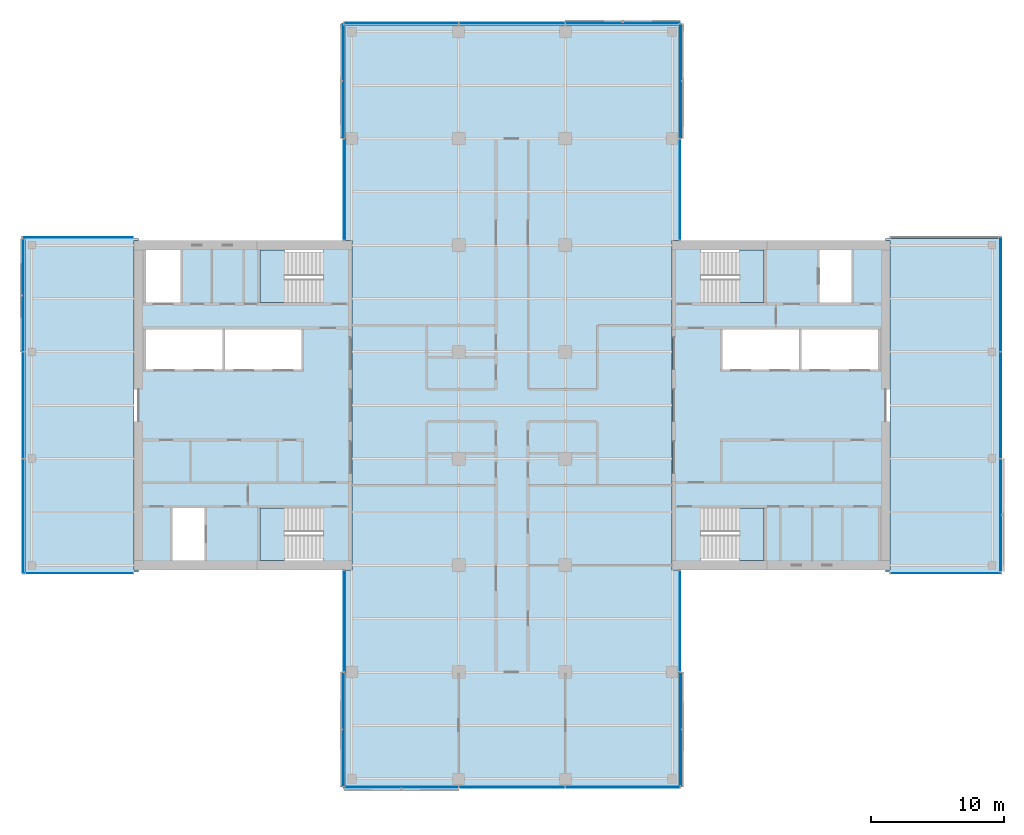
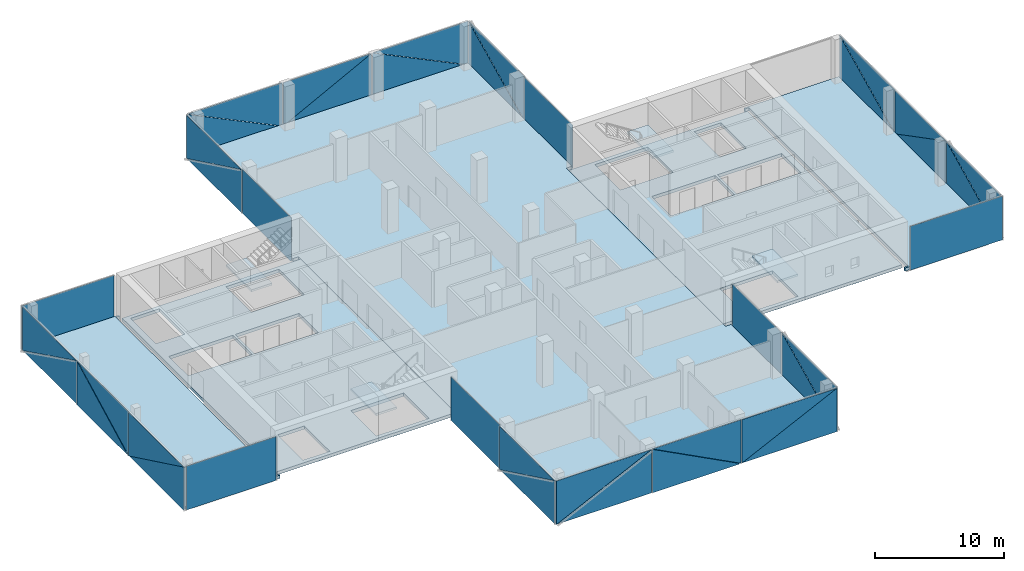
# One storey, part 12 of 22: 39 plates, 9 slabs, 19 elements without a shape of their own.
"""IFC4 building model written with IfcOpenShell, lengths in metres."""

from ifc_helpers import new_model, si_unit, direction, frame, origin, place, context, subcontext, project, spatial, polyline, outline, extrude, material, layer, layer_set, type_object, element, aggregate, save


model = new_model("IFC4")

# Units and contexts
model_context = context("Model", 3, precision=1e-05, world=origin(), true_north=direction((0.0, 1.0)))
body_context = subcontext(model_context, "Body", "Model", "MODEL_VIEW")
ifc_project = project(units=[si_unit("LENGTHUNIT", "METRE"), si_unit("AREAUNIT", "SQUARE_METRE"), si_unit("VOLUMEUNIT", "CUBIC_METRE"), si_unit("PLANEANGLEUNIT", "RADIAN"), si_unit("MASSUNIT", "GRAM", prefix="KILO")], contexts=[model_context])

# Site, building, storey
site_placement = place(None, origin())
site = spatial("IfcSite", under=ifc_project, at=site_placement, CompositionType="ELEMENT")
building_placement = place(site_placement, origin())
building = spatial("IfcBuilding", under=site, at=building_placement, Name="Crosswind Convention Tower", CompositionType="ELEMENT")
storey_placement = place(building_placement, frame((0.0, 0.0, 121.10009765625)))
storey = spatial("IfcBuildingStorey", under=building, at=storey_placement, Name="L24", CompositionType="ELEMENT", Elevation=121.10009765625)

# Slabs
ifc_material_1 = material(Name="Concrete C40/50", Category="concrete")
ifc_layer_1 = layer(ifc_material_1, 0.300048828125)
ifc_layer_set_1 = layer_set([ifc_layer_1], Name="Concrete C40/50")
slab_type_1 = type_object("IfcSlabType", Name="Composite floor slab 300", PredefinedType="FLOOR", material=ifc_layer_set_1)
slab_1_placement = place(storey_placement, frame((0.0, 0.0, -0.300048828125)))
element("IfcSlab", 1, at=slab_1_placement, inside=storey, type_object=slab_type_1, Name="Floor slab L24 part 1", PredefinedType="FLOOR", context=body_context, shape_type="SweptSolid", body=[
    extrude(outline(polyline([(97.0, 87.5), (89.0, 87.5), (88.5, 87.5), (88.5, 88.0), (88.5, 112.0), (88.5, 112.5), (89.0, 112.5), (97.0, 112.5), (97.0, 112.35009765625), (96.64990234375, 112.35009765625), (96.64990234375, 87.64990234375), (97.0, 87.64990234375), (97.0, 87.5)])), origin(), (0.0, 0.0, 1.0), 0.300048828125),
])
slab_2_placement = place(storey_placement, frame((0.0, 0.0, -0.300048828125)))
element("IfcSlab", 2, at=slab_2_placement, inside=storey, type_object=slab_type_1, Name="Floor slab L24 part 2", PredefinedType="FLOOR", context=body_context, shape_type="SweptSolid", body=[
    extrude(outline(polyline([(112.5, 87.64990234375), (113.0, 87.64990234375), (113.0, 112.35009765625), (112.5, 112.35009765625), (112.5, 128.0), (112.5, 128.5), (113.0, 128.5), (137.0, 128.5), (137.5, 128.5), (137.5, 128.0), (137.5, 112.35009765625), (137.0, 112.35009765625), (137.0, 87.64990234375), (137.5, 87.64990234375), (137.5, 72.0), (137.5, 71.5), (137.0, 71.5), (113.0, 71.5), (112.5, 71.5), (112.5, 72.0), (112.5, 87.64990234375)])), origin(), (0.0, 0.0, 1.0), 0.300048828125),
])
slab_3_placement = place(storey_placement, frame((0.0, 0.0, -0.300048828125)))
element("IfcSlab", 3, at=slab_3_placement, inside=storey, type_object=slab_type_1, Name="Floor slab L24 part 3", PredefinedType="FLOOR", context=body_context, shape_type="SweptSolid", body=[
    extrude(outline(polyline([(153.0, 112.5), (161.0, 112.5), (161.5, 112.5), (161.5, 112.0), (161.5, 88.0), (161.5, 87.5), (161.0, 87.5), (153.0, 87.5), (153.0, 87.64990234375), (153.35009765625, 87.64990234375), (153.35009765625, 112.35009765625), (153.0, 112.35009765625), (153.0, 112.5)])), origin(), (0.0, 0.0, 1.0), 0.300048828125),
])
ifc_layer_2 = layer(ifc_material_1, 0.300048828125)
ifc_layer_set_2 = layer_set([ifc_layer_2], Name="Concrete C40/50")
slab_type_2 = type_object("IfcSlabType", Name="Concrete core floor slab 300", PredefinedType="FLOOR", material=ifc_layer_set_2)
slab_4_placement = place(storey_placement, frame((0.0, 0.0, -0.300048828125)))
element("IfcSlab", 4, at=slab_4_placement, inside=storey, type_object=slab_type_2, Name="Core floor slab E L24", PredefinedType="FLOOR", context=body_context, shape_type="SweptSolid", body=[
    extrude(outline(polyline([(137.0, 88.0), (153.0, 88.0), (153.0, 112.0), (137.0, 112.0), (137.0, 88.0)]), holes=[polyline([(146.5, 102.699951171875), (146.5, 105.699951171875), (140.800048828125, 105.699951171875), (140.800048828125, 102.699951171875), (146.5, 102.699951171875)]), polyline([(152.449951171875, 102.699951171875), (152.449951171875, 105.699951171875), (146.699951171875, 105.699951171875), (146.699951171875, 102.699951171875), (152.449951171875, 102.699951171875)]), polyline([(150.449951171875, 107.699951171875), (150.449951171875, 111.64990234375), (148.050048828125, 111.64990234375), (148.050048828125, 107.699951171875), (150.449951171875, 107.699951171875)]), polyline([(143.89990234375, 107.699951171875), (143.89990234375, 111.64990234375), (139.14990234375, 111.64990234375), (139.14990234375, 107.699951171875), (143.89990234375, 107.699951171875)]), polyline([(143.89990234375, 88.35009765625), (143.89990234375, 92.300048828125), (139.14990234375, 92.300048828125), (139.14990234375, 88.35009765625), (143.89990234375, 88.35009765625)])]), origin(), (0.0, 0.0, 1.0), 0.300048828125),
])
slab_5_placement = place(storey_placement, frame((0.0, 0.0, -0.300048828125)))
element("IfcSlab", 5, at=slab_5_placement, inside=storey, type_object=slab_type_2, Name="Core floor slab W L24", PredefinedType="FLOOR", context=body_context, shape_type="SweptSolid", body=[
    extrude(outline(polyline([(97.0, 88.0), (113.0, 88.0), (113.0, 112.0), (97.0, 112.0), (97.0, 88.0)]), holes=[polyline([(109.199951171875, 102.699951171875), (109.199951171875, 105.699951171875), (103.5, 105.699951171875), (103.5, 102.699951171875), (109.199951171875, 102.699951171875)]), polyline([(103.300048828125, 102.699951171875), (103.300048828125, 105.699951171875), (97.550048828125, 105.699951171875), (97.550048828125, 102.699951171875), (103.300048828125, 102.699951171875)]), polyline([(101.949951171875, 88.35009765625), (101.949951171875, 92.300048828125), (99.550048828125, 92.300048828125), (99.550048828125, 88.35009765625), (101.949951171875, 88.35009765625)]), polyline([(100.14990234375, 107.699951171875), (100.14990234375, 111.64990234375), (97.550048828125, 111.64990234375), (97.550048828125, 107.699951171875), (100.14990234375, 107.699951171875)]), polyline([(110.85009765625, 88.35009765625), (110.85009765625, 92.300048828125), (106.10009765625, 92.300048828125), (106.10009765625, 88.35009765625), (110.85009765625, 88.35009765625)]), polyline([(110.85009765625, 107.699951171875), (110.85009765625, 111.64990234375), (106.10009765625, 111.64990234375), (106.10009765625, 107.699951171875), (110.85009765625, 107.699951171875)])]), origin(), (0.0, 0.0, 1.0), 0.300048828125),
])

# Stair, slab
stair_type = type_object("IfcStairType", Name="Exit stair 1800 wide, 2 flights of 11 risers", PredefinedType="HALF_TURN_STAIR", material=ifc_material_1)
stair_1_placement = place(storey_placement, origin())
stair_1 = element("IfcStair", 6, at=stair_1_placement, inside=storey, type_object=stair_type, Name="Exit stair ST1 L24", ObjectType="ST5", PredefinedType="HALF_TURN_STAIR")
ifc_layer_3 = layer(ifc_material_1, 0.199951171875)
ifc_layer_set_3 = layer_set([ifc_layer_3], Name="Concrete C40/50")
slab_type_3 = type_object("IfcSlabType", Name="Stair landing 200", PredefinedType="LANDING", material=ifc_layer_set_3)
slab_6_placement = place(storey_placement, frame((0.0, 0.0, 1.89990234375)))
slab_6 = element("IfcSlab", 7, at=slab_6_placement, type_object=slab_type_3, Name="ST1 landing 1", PredefinedType="LANDING", context=body_context, shape_type="SweptSolid", body=[
    extrude(outline(polyline([(143.89990234375, 107.699951171875), (143.89990234375, 111.64990234375), (142.050048828125, 111.64990234375), (142.050048828125, 107.699951171875), (143.89990234375, 107.699951171875)])), origin(), (0.0, 0.0, 1.0), 0.199951171875),
])
aggregate(stair_1, [slab_6])

stair_2_placement = place(storey_placement, origin())
stair_2 = element("IfcStair", 8, at=stair_2_placement, inside=storey, type_object=stair_type, Name="Exit stair ST2 L24", ObjectType="ST5", PredefinedType="HALF_TURN_STAIR")
slab_7_placement = place(storey_placement, frame((0.0, 0.0, 1.89990234375)))
slab_7 = element("IfcSlab", 9, at=slab_7_placement, type_object=slab_type_3, Name="ST2 landing 1", PredefinedType="LANDING", context=body_context, shape_type="SweptSolid", body=[
    extrude(outline(polyline([(143.89990234375, 88.35009765625), (143.89990234375, 92.300048828125), (142.050048828125, 92.300048828125), (142.050048828125, 88.35009765625), (143.89990234375, 88.35009765625)])), origin(), (0.0, 0.0, 1.0), 0.199951171875),
])
aggregate(stair_2, [slab_7])

stair_3_placement = place(storey_placement, origin())
stair_3 = element("IfcStair", 10, at=stair_3_placement, inside=storey, type_object=stair_type, Name="Exit stair ST3 L24", ObjectType="ST5", PredefinedType="HALF_TURN_STAIR")
slab_8_placement = place(storey_placement, frame((0.0, 0.0, 1.89990234375)))
slab_8 = element("IfcSlab", 11, at=slab_8_placement, type_object=slab_type_3, Name="ST3 landing 1", PredefinedType="LANDING", context=body_context, shape_type="SweptSolid", body=[
    extrude(outline(polyline([(107.949951171875, 88.35009765625), (107.949951171875, 92.300048828125), (106.10009765625, 92.300048828125), (106.10009765625, 88.35009765625), (107.949951171875, 88.35009765625)])), origin(), (0.0, 0.0, 1.0), 0.199951171875),
])
aggregate(stair_3, [slab_8])

stair_4_placement = place(storey_placement, origin())
stair_4 = element("IfcStair", 12, at=stair_4_placement, inside=storey, type_object=stair_type, Name="Exit stair ST4 L24", ObjectType="ST5", PredefinedType="HALF_TURN_STAIR")
slab_9_placement = place(storey_placement, frame((0.0, 0.0, 1.89990234375)))
slab_9 = element("IfcSlab", 13, at=slab_9_placement, type_object=slab_type_3, Name="ST4 landing 1", PredefinedType="LANDING", context=body_context, shape_type="SweptSolid", body=[
    extrude(outline(polyline([(107.949951171875, 107.699951171875), (107.949951171875, 111.64990234375), (106.10009765625, 111.64990234375), (106.10009765625, 107.699951171875), (107.949951171875, 107.699951171875)])), origin(), (0.0, 0.0, 1.0), 0.199951171875),
])
aggregate(stair_4, [slab_9])

# Curtain wall, plate
ifc_material_2 = material(Name="Aluminium unitised curtain wall", Category="aluminium")
curtain_wall_type_1 = type_object("IfcCurtainWallType", Name="CORE END SLOT WALL 160", PredefinedType="USERDEFINED", material=ifc_material_2)
curtain_wall_1_placement = place(storey_placement, origin())
curtain_wall_1 = element("IfcCurtainWall", 14, at=curtain_wall_1_placement, inside=storey, type_object=curtain_wall_type_1, Name="CW6 L24 N-E.1-1 slot", ObjectType="UNITISED", PredefinedType="USERDEFINED")
ifc_material_3 = material(Name="Laminated insulating glass unit", Category="glass")
ifc_layer_4 = layer(ifc_material_3, 0.02587890625)
ifc_layer_set_4 = layer_set([ifc_layer_4], Name="TRIANGULAR GLASS PANEL 26")
plate_type_1 = type_object("IfcPlateType", Name="TRIANGULAR GLASS PANEL 26", PredefinedType="CURTAIN_PANEL", material=ifc_layer_set_4)
plate_1_placement = place(storey_placement, frame((137.60693359375, 112.39990234375, -0.300048828125), z_axis=(0.999999915205, 0.0, 0.00041181312), x_axis=(0.0, 1.0, 0.0)))
plate_1 = element("IfcPlate", 15, at=plate_1_placement, type_object=plate_type_1, Name="CW6 panel 1.1", PredefinedType="CURTAIN_PANEL", context=body_context, shape_type="SweptSolid", body=[
    extrude(outline(polyline([(0.0, 0.0), (7.550048828125, 0.0), (7.550048828125, 4.149902695641108), (0.0, 4.149902695641108), (0.0, 0.0)])), origin(), (0.0, 0.0, -1.0), 0.02587890625),
])
aggregate(curtain_wall_1, [plate_1])

curtain_wall_2_placement = place(storey_placement, origin())
curtain_wall_2 = element("IfcCurtainWall", 16, at=curtain_wall_2_placement, inside=storey, type_object=curtain_wall_type_1, Name="CW6 L24 N-W.1-2 slot", ObjectType="UNITISED", PredefinedType="USERDEFINED")
plate_2_placement = place(storey_placement, frame((112.39306640625, 119.949951171875, -0.300048828125), z_axis=(-0.999999915205, 0.0, 0.00041181312), x_axis=(0.0, -1.0, 0.0)))
plate_2 = element("IfcPlate", 17, at=plate_2_placement, type_object=plate_type_1, Name="CW6 panel 1.1", PredefinedType="CURTAIN_PANEL", context=body_context, shape_type="SweptSolid", body=[
    extrude(outline(polyline([(0.0, 0.0), (7.550048828125, 0.0), (7.550048828125, 4.149902695641108), (0.0, 4.149902695641108), (0.0, 0.0)])), origin(), (0.0, 0.0, -1.0), 0.02587890625),
])
aggregate(curtain_wall_2, [plate_2])

curtain_wall_3_placement = place(storey_placement, origin())
curtain_wall_3 = element("IfcCurtainWall", 18, at=curtain_wall_3_placement, inside=storey, type_object=curtain_wall_type_1, Name="CW6 L24 W-N.2-1 slot", ObjectType="UNITISED", PredefinedType="USERDEFINED")
plate_3_placement = place(storey_placement, frame((96.60009765625, 112.60693359375, -0.300048828125), z_axis=(0.0, 0.999999915205, 0.00041181312), x_axis=(-1.0, 0.0, 0.0)))
plate_3 = element("IfcPlate", 19, at=plate_3_placement, type_object=plate_type_1, Name="CW6 panel 1.1", PredefinedType="CURTAIN_PANEL", context=body_context, shape_type="SweptSolid", body=[
    extrude(outline(polyline([(0.0, 0.0), (8.27001953125, 0.0), (8.27001953125, 4.149902695641109), (0.0, 4.149902695641109), (0.0, 0.0)])), origin(), (0.0, 0.0, -1.0), 0.02587890625),
])
aggregate(curtain_wall_3, [plate_3])

curtain_wall_4_placement = place(storey_placement, origin())
curtain_wall_4 = element("IfcCurtainWall", 20, at=curtain_wall_4_placement, inside=storey, type_object=curtain_wall_type_1, Name="CW6 L24 W-S.1-1 slot", ObjectType="UNITISED", PredefinedType="USERDEFINED")
plate_4_placement = place(storey_placement, frame((88.550048828125, 87.39306640625, -0.300048828125), z_axis=(0.0, -0.999999915205, 0.00041181312), x_axis=(1.0, 0.0, 0.0)))
plate_4 = element("IfcPlate", 21, at=plate_4_placement, type_object=plate_type_1, Name="CW6 panel 1.1", PredefinedType="CURTAIN_PANEL", context=body_context, shape_type="SweptSolid", body=[
    extrude(outline(polyline([(0.0, 0.0), (8.050048828125, 0.0), (8.050048828125, 4.149902695641108), (0.0, 4.149902695641108), (0.0, 0.0)])), origin(), (0.0, 0.0, -1.0), 0.02587890625),
])
aggregate(curtain_wall_4, [plate_4])

curtain_wall_5_placement = place(storey_placement, origin())
curtain_wall_5 = element("IfcCurtainWall", 22, at=curtain_wall_5_placement, inside=storey, type_object=curtain_wall_type_1, Name="CW6 L24 S-W.1-1 slot", ObjectType="UNITISED", PredefinedType="USERDEFINED")
plate_5_placement = place(storey_placement, frame((112.39306640625, 87.60009765625, -0.300048828125), z_axis=(-0.999999915205, 0.0, 0.00041181312), x_axis=(0.0, -1.0, 0.0)))
plate_5 = element("IfcPlate", 23, at=plate_5_placement, type_object=plate_type_1, Name="CW6 panel 1.1", PredefinedType="CURTAIN_PANEL", context=body_context, shape_type="SweptSolid", body=[
    extrude(outline(polyline([(0.0, 0.0), (7.550048828125, 0.0), (7.550048828125, 4.149902695641108), (0.0, 4.149902695641108), (0.0, 0.0)])), origin(), (0.0, 0.0, -1.0), 0.02587890625),
])
aggregate(curtain_wall_5, [plate_5])

curtain_wall_6_placement = place(storey_placement, origin())
curtain_wall_6 = element("IfcCurtainWall", 24, at=curtain_wall_6_placement, inside=storey, type_object=curtain_wall_type_1, Name="CW6 L24 S-E.1-2 slot", ObjectType="UNITISED", PredefinedType="USERDEFINED")
plate_6_placement = place(storey_placement, frame((137.60693359375, 80.050048828125, -0.300048828125), z_axis=(0.999999915205, 0.0, 0.00041181312), x_axis=(0.0, 1.0, 0.0)))
plate_6 = element("IfcPlate", 25, at=plate_6_placement, type_object=plate_type_1, Name="CW6 panel 1.1", PredefinedType="CURTAIN_PANEL", context=body_context, shape_type="SweptSolid", body=[
    extrude(outline(polyline([(0.0, 0.0), (7.550048828125, 0.0), (7.550048828125, 4.149902695641108), (0.0, 4.149902695641108), (0.0, 0.0)])), origin(), (0.0, 0.0, -1.0), 0.02587890625),
])
aggregate(curtain_wall_6, [plate_6])

curtain_wall_7_placement = place(storey_placement, origin())
curtain_wall_7 = element("IfcCurtainWall", 26, at=curtain_wall_7_placement, inside=storey, type_object=curtain_wall_type_1, Name="CW6 L24 E-S.2-1 slot", ObjectType="UNITISED", PredefinedType="USERDEFINED")
plate_7_placement = place(storey_placement, frame((153.39990234375, 87.39306640625, -0.300048828125), z_axis=(0.0, -0.999999915205, 0.00041181312), x_axis=(1.0, 0.0, 0.0)))
plate_7 = element("IfcPlate", 27, at=plate_7_placement, type_object=plate_type_1, Name="CW6 panel 1.1", PredefinedType="CURTAIN_PANEL", context=body_context, shape_type="SweptSolid", body=[
    extrude(outline(polyline([(0.0, 0.0), (8.27001953125, 0.0), (8.27001953125, 4.149902695641109), (0.0, 4.149902695641109), (0.0, 0.0)])), origin(), (0.0, 0.0, -1.0), 0.02587890625),
])
aggregate(curtain_wall_7, [plate_7])

# Curtain wall, plates
curtain_wall_type_2 = type_object("IfcCurtainWallType", Name="OFFICE UNITISED WALL 220", PredefinedType="USERDEFINED", material=ifc_material_2)
curtain_wall_8_placement = place(storey_placement, origin())
curtain_wall_8 = element("IfcCurtainWall", 28, at=curtain_wall_8_placement, inside=storey, type_object=curtain_wall_type_2, Name="CW3 L24 E-TIP 1", ObjectType="UNITISED", PredefinedType="USERDEFINED")
ifc_layer_5 = layer(ifc_material_3, 0.031982421875)
ifc_layer_set_5 = layer_set([ifc_layer_5], Name="TRIANGULAR GLASS PANEL 32")
plate_type_2 = type_object("IfcPlateType", Name="TRIANGULAR GLASS PANEL 32", PredefinedType="CURTAIN_PANEL", material=ifc_layer_set_5)
plate_8_placement = place(storey_placement, frame((161.642822265625, 95.965087890625, -0.300048828125), z_axis=(0.999999913924, 0.0, 0.000414913129), x_axis=(-0.000414913129, 0.0, 0.999999913924)))
plate_8 = element("IfcPlate", 29, at=plate_8_placement, type_object=plate_type_2, Name="CW3 panel 1.1", PredefinedType="CURTAIN_PANEL", context=body_context, shape_type="SweptSolid", body=[
    extrude(outline(polyline([(0.0, 0.0), (4.118896838915043, 0.0), (0.0, 8.372314453125), (0.0, 0.0)])), origin(), (0.0, 0.0, -1.0), 0.031982421875),
])
plate_9_placement = place(storey_placement, frame((161.67529296875, 87.570068359375, 3.829833984375), z_axis=(0.99999993676, 0.0, 0.000355639833), x_axis=(0.000355639833, 0.0, -0.99999993676)))
plate_9 = element("IfcPlate", 30, at=plate_9_placement, type_object=plate_type_2, Name="CW3 panel 1.2", PredefinedType="CURTAIN_PANEL", context=body_context, shape_type="SweptSolid", body=[
    extrude(outline(polyline([(0.0, 0.0), (4.1188967448534015, 0.0), (0.0, 8.372314453125), (0.0, 0.0)])), origin(), (0.0, 0.0, -1.0), 0.031982421875),
])
plate_10_placement = place(storey_placement, frame((161.64111328125, 103.965087890625, 3.829833984375), z_axis=(0.999999913913, 0.0, 0.000414937724), x_axis=(0.0, -1.0, 0.0)))
plate_10 = element("IfcPlate", 31, at=plate_10_placement, type_object=plate_type_2, Name="CW3 panel 2.1", PredefinedType="CURTAIN_PANEL", context=body_context, shape_type="SweptSolid", body=[
    extrude(outline(polyline([(0.0, 0.0), (7.908447265625, 0.0), (0.0, 4.118652698311059), (0.0, 0.0)])), origin(), (0.0, 0.0, -1.0), 0.031982421875),
])
plate_11_placement = place(storey_placement, frame((161.6767578125, 96.034912109375, -0.300048828125), z_axis=(0.999999936753, 0.0, 0.000355660914), x_axis=(0.0, 1.0, 0.0)))
plate_11 = element("IfcPlate", 32, at=plate_11_placement, type_object=plate_type_2, Name="CW3 panel 2.2", PredefinedType="CURTAIN_PANEL", context=body_context, shape_type="SweptSolid", body=[
    extrude(outline(polyline([(0.0, 0.0), (7.908447265625, 0.0), (0.0, 4.118652604243842), (0.0, 0.0)])), origin(), (0.0, 0.0, -1.0), 0.031982421875),
])
plate_12_placement = place(storey_placement, frame((161.642822265625, 112.590087890625, -0.300048828125), z_axis=(0.999999913924, 0.0, 0.000414913129), x_axis=(-0.000414913129, 0.0, 0.999999913924)))
plate_12 = element("IfcPlate", 33, at=plate_12_placement, type_object=plate_type_2, Name="CW3 panel 3.1", PredefinedType="CURTAIN_PANEL", context=body_context, shape_type="SweptSolid", body=[
    extrude(outline(polyline([(0.0, 0.0), (4.118896838915043, 0.0), (0.0, 8.531982421874998), (0.0, 0.0)])), origin(), (0.0, 0.0, -1.0), 0.031982421875),
])
plate_13_placement = place(storey_placement, frame((161.67529296875, 104.034912109375, 3.829833984375), z_axis=(0.99999993676, 0.0, 0.000355639833), x_axis=(0.000355639833, 0.0, -0.99999993676)))
plate_13 = element("IfcPlate", 34, at=plate_13_placement, type_object=plate_type_2, Name="CW3 panel 3.2", PredefinedType="CURTAIN_PANEL", context=body_context, shape_type="SweptSolid", body=[
    extrude(outline(polyline([(0.0, 0.0), (4.1188967448534015, 0.0), (0.0, 8.531982421875), (0.0, 0.0)])), origin(), (0.0, 0.0, -1.0), 0.031982421875),
])
aggregate(curtain_wall_8, [plate_8, plate_9, plate_10, plate_11, plate_12, plate_13])

curtain_wall_9_placement = place(storey_placement, origin())
curtain_wall_9 = element("IfcCurtainWall", 35, at=curtain_wall_9_placement, inside=storey, type_object=curtain_wall_type_2, Name="CW3 L24 N-E 1", ObjectType="UNITISED", PredefinedType="USERDEFINED")
plate_14_placement = place(storey_placement, frame((137.642822265625, 128.574951171875, -0.300048828125), z_axis=(0.999999913924, 0.0, 0.000414913129), x_axis=(-0.000414913129, 0.0, 0.999999913924)))
plate_14 = element("IfcPlate", 36, at=plate_14_placement, type_object=plate_type_2, Name="CW3 panel 1.1", PredefinedType="CURTAIN_PANEL", context=body_context, shape_type="SweptSolid", body=[
    extrude(outline(polyline([(0.0, 0.0), (4.118896838915043, 0.0), (0.0, 8.517089843749998), (0.0, 0.0)])), origin(), (0.0, 0.0, -1.0), 0.031982421875),
])
plate_15_placement = place(storey_placement, frame((137.67529296875, 120.034912109375, 3.829833984375), z_axis=(0.99999993676, 0.0, 0.000355639833), x_axis=(0.000355639833, 0.0, -0.99999993676)))
plate_15 = element("IfcPlate", 37, at=plate_15_placement, type_object=plate_type_2, Name="CW3 panel 1.2", PredefinedType="CURTAIN_PANEL", context=body_context, shape_type="SweptSolid", body=[
    extrude(outline(polyline([(0.0, 0.0), (4.1188967448534015, 0.0), (0.0, 8.51708984375), (0.0, 0.0)])), origin(), (0.0, 0.0, -1.0), 0.031982421875),
])
aggregate(curtain_wall_9, [plate_14, plate_15])

curtain_wall_10_placement = place(storey_placement, origin())
curtain_wall_10 = element("IfcCurtainWall", 38, at=curtain_wall_10_placement, inside=storey, type_object=curtain_wall_type_2, Name="CW3 L24 N-TIP 1", ObjectType="UNITISED", PredefinedType="USERDEFINED")
plate_16_placement = place(storey_placement, frame((129.034912109375, 128.642822265625, -0.300048828125), z_axis=(0.0, 0.999999913924, 0.000414913129), x_axis=(0.0, -0.000414913129, 0.999999913924)))
plate_16 = element("IfcPlate", 39, at=plate_16_placement, type_object=plate_type_2, Name="CW3 panel 1.1", PredefinedType="CURTAIN_PANEL", context=body_context, shape_type="SweptSolid", body=[
    extrude(outline(polyline([(0.0, 0.0), (4.118896838915043, 0.0), (0.0, 8.517089843749998), (0.0, 0.0)])), origin(), (0.0, 0.0, -1.0), 0.031982421875),
])
plate_17_placement = place(storey_placement, frame((137.574951171875, 128.67529296875, 3.829833984375), z_axis=(0.0, 0.99999993676, 0.000355639833), x_axis=(0.0, 0.000355639833, -0.99999993676)))
plate_17 = element("IfcPlate", 40, at=plate_17_placement, type_object=plate_type_2, Name="CW3 panel 1.2", PredefinedType="CURTAIN_PANEL", context=body_context, shape_type="SweptSolid", body=[
    extrude(outline(polyline([(0.0, 0.0), (4.1188967448534015, 0.0), (0.0, 8.51708984375), (0.0, 0.0)])), origin(), (0.0, 0.0, -1.0), 0.031982421875),
])
plate_18_placement = place(storey_placement, frame((121.034912109375, 128.64111328125, 3.829833984375), z_axis=(0.0, 0.999999913913, 0.000414937724), x_axis=(1.0, 0.0, 0.0)))
plate_18 = element("IfcPlate", 41, at=plate_18_placement, type_object=plate_type_2, Name="CW3 panel 2.1", PredefinedType="CURTAIN_PANEL", context=body_context, shape_type="SweptSolid", body=[
    extrude(outline(polyline([(0.0, 0.0), (7.908447265625, 0.0), (0.0, 4.118652698311059), (0.0, 0.0)])), origin(), (0.0, 0.0, -1.0), 0.031982421875),
])
plate_19_placement = place(storey_placement, frame((128.965087890625, 128.6767578125, -0.300048828125), z_axis=(0.0, 0.999999936753, 0.000355660914), x_axis=(-1.0, 0.0, 0.0)))
plate_19 = element("IfcPlate", 42, at=plate_19_placement, type_object=plate_type_2, Name="CW3 panel 2.2", PredefinedType="CURTAIN_PANEL", context=body_context, shape_type="SweptSolid", body=[
    extrude(outline(polyline([(0.0, 0.0), (7.908447265625, 0.0), (0.0, 4.118652604243842), (0.0, 0.0)])), origin(), (0.0, 0.0, -1.0), 0.031982421875),
])
plate_20_placement = place(storey_placement, frame((112.425048828125, 128.642822265625, -0.300048828125), z_axis=(0.0, 0.999999913924, 0.000414913129), x_axis=(0.0, -0.000414913129, 0.999999913924)))
plate_20 = element("IfcPlate", 43, at=plate_20_placement, type_object=plate_type_2, Name="CW3 panel 3.1", PredefinedType="CURTAIN_PANEL", context=body_context, shape_type="SweptSolid", body=[
    extrude(outline(polyline([(0.0, 0.0), (4.118896838915043, 0.0), (0.0, 8.517089843749998), (0.0, 0.0)])), origin(), (0.0, 0.0, -1.0), 0.031982421875),
])
plate_21_placement = place(storey_placement, frame((120.965087890625, 128.67529296875, 3.829833984375), z_axis=(0.0, 0.99999993676, 0.000355639833), x_axis=(0.0, 0.000355639833, -0.99999993676)))
plate_21 = element("IfcPlate", 44, at=plate_21_placement, type_object=plate_type_2, Name="CW3 panel 3.2", PredefinedType="CURTAIN_PANEL", context=body_context, shape_type="SweptSolid", body=[
    extrude(outline(polyline([(0.0, 0.0), (4.1188967448534015, 0.0), (0.0, 8.51708984375), (0.0, 0.0)])), origin(), (0.0, 0.0, -1.0), 0.031982421875),
])
aggregate(curtain_wall_10, [plate_16, plate_17, plate_18, plate_19, plate_20, plate_21])

curtain_wall_11_placement = place(storey_placement, origin())
curtain_wall_11 = element("IfcCurtainWall", 45, at=curtain_wall_11_placement, inside=storey, type_object=curtain_wall_type_2, Name="CW3 L24 N-W 1", ObjectType="UNITISED", PredefinedType="USERDEFINED")
plate_22_placement = place(storey_placement, frame((112.357177734375, 120.034912109375, -0.300048828125), z_axis=(-0.999999913924, 0.0, 0.000414913129), x_axis=(0.000414913129, 0.0, 0.999999913924)))
plate_22 = element("IfcPlate", 46, at=plate_22_placement, type_object=plate_type_2, Name="CW3 panel 1.1", PredefinedType="CURTAIN_PANEL", context=body_context, shape_type="SweptSolid", body=[
    extrude(outline(polyline([(0.0, 0.0), (4.118896838915043, 0.0), (0.0, 8.517089843749998), (0.0, 0.0)])), origin(), (0.0, 0.0, -1.0), 0.031982421875),
])
plate_23_placement = place(storey_placement, frame((112.32470703125, 128.574951171875, 3.829833984375), z_axis=(-0.99999993676, 0.0, 0.000355639833), x_axis=(-0.000355639833, 0.0, -0.99999993676)))
plate_23 = element("IfcPlate", 47, at=plate_23_placement, type_object=plate_type_2, Name="CW3 panel 1.2", PredefinedType="CURTAIN_PANEL", context=body_context, shape_type="SweptSolid", body=[
    extrude(outline(polyline([(0.0, 0.0), (4.1188967448534015, 0.0), (0.0, 8.51708984375), (0.0, 0.0)])), origin(), (0.0, 0.0, -1.0), 0.031982421875),
])
aggregate(curtain_wall_11, [plate_22, plate_23])

curtain_wall_12_placement = place(storey_placement, origin())
curtain_wall_12 = element("IfcCurtainWall", 48, at=curtain_wall_12_placement, inside=storey, type_object=curtain_wall_type_2, Name="CW3 L24 W-TIP 1", ObjectType="UNITISED", PredefinedType="USERDEFINED")
plate_24_placement = place(storey_placement, frame((88.357177734375, 104.034912109375, -0.300048828125), z_axis=(-0.999999913924, 0.0, 0.000414913129), x_axis=(0.000414913129, 0.0, 0.999999913924)))
plate_24 = element("IfcPlate", 49, at=plate_24_placement, type_object=plate_type_2, Name="CW3 panel 1.1", PredefinedType="CURTAIN_PANEL", context=body_context, shape_type="SweptSolid", body=[
    extrude(outline(polyline([(0.0, 0.0), (4.118896838915043, 0.0), (0.0, 8.372314453125), (0.0, 0.0)])), origin(), (0.0, 0.0, -1.0), 0.031982421875),
])
plate_25_placement = place(storey_placement, frame((88.32470703125, 112.429931640625, 3.829833984375), z_axis=(-0.99999993676, 0.0, 0.000355639833), x_axis=(-0.000355639833, 0.0, -0.99999993676)))
plate_25 = element("IfcPlate", 50, at=plate_25_placement, type_object=plate_type_2, Name="CW3 panel 1.2", PredefinedType="CURTAIN_PANEL", context=body_context, shape_type="SweptSolid", body=[
    extrude(outline(polyline([(0.0, 0.0), (4.1188967448534015, 0.0), (0.0, 8.372314453125), (0.0, 0.0)])), origin(), (0.0, 0.0, -1.0), 0.031982421875),
])
plate_26_placement = place(storey_placement, frame((88.35888671875, 96.034912109375, 3.829833984375), z_axis=(-0.999999913913, 0.0, 0.000414937724), x_axis=(0.0, 1.0, 0.0)))
plate_26 = element("IfcPlate", 51, at=plate_26_placement, type_object=plate_type_2, Name="CW3 panel 2.1", PredefinedType="CURTAIN_PANEL", context=body_context, shape_type="SweptSolid", body=[
    extrude(outline(polyline([(0.0, 0.0), (7.908447265625, 0.0), (0.0, 4.118652698311059), (0.0, 0.0)])), origin(), (0.0, 0.0, -1.0), 0.031982421875),
])
plate_27_placement = place(storey_placement, frame((88.3232421875, 103.965087890625, -0.300048828125), z_axis=(-0.999999936753, 0.0, 0.000355660914), x_axis=(0.0, -1.0, 0.0)))
plate_27 = element("IfcPlate", 52, at=plate_27_placement, type_object=plate_type_2, Name="CW3 panel 2.2", PredefinedType="CURTAIN_PANEL", context=body_context, shape_type="SweptSolid", body=[
    extrude(outline(polyline([(0.0, 0.0), (7.908447265625, 0.0), (0.0, 4.118652604243842), (0.0, 0.0)])), origin(), (0.0, 0.0, -1.0), 0.031982421875),
])
plate_28_placement = place(storey_placement, frame((88.357177734375, 87.409912109375, -0.300048828125), z_axis=(-0.999999913924, 0.0, 0.000414913129), x_axis=(0.000414913129, 0.0, 0.999999913924)))
plate_28 = element("IfcPlate", 53, at=plate_28_placement, type_object=plate_type_2, Name="CW3 panel 3.1", PredefinedType="CURTAIN_PANEL", context=body_context, shape_type="SweptSolid", body=[
    extrude(outline(polyline([(0.0, 0.0), (4.118896838915043, 0.0), (0.0, 8.531982421874998), (0.0, 0.0)])), origin(), (0.0, 0.0, -1.0), 0.031982421875),
])
plate_29_placement = place(storey_placement, frame((88.32470703125, 95.965087890625, 3.829833984375), z_axis=(-0.99999993676, 0.0, 0.000355639833), x_axis=(-0.000355639833, 0.0, -0.99999993676)))
plate_29 = element("IfcPlate", 54, at=plate_29_placement, type_object=plate_type_2, Name="CW3 panel 3.2", PredefinedType="CURTAIN_PANEL", context=body_context, shape_type="SweptSolid", body=[
    extrude(outline(polyline([(0.0, 0.0), (4.1188967448534015, 0.0), (0.0, 8.531982421875), (0.0, 0.0)])), origin(), (0.0, 0.0, -1.0), 0.031982421875),
])
aggregate(curtain_wall_12, [plate_24, plate_25, plate_26, plate_27, plate_28, plate_29])

curtain_wall_13_placement = place(storey_placement, origin())
curtain_wall_13 = element("IfcCurtainWall", 55, at=curtain_wall_13_placement, inside=storey, type_object=curtain_wall_type_2, Name="CW3 L24 S-W 1", ObjectType="UNITISED", PredefinedType="USERDEFINED")
plate_30_placement = place(storey_placement, frame((112.357177734375, 71.425048828125, -0.300048828125), z_axis=(-0.999999913924, 0.0, 0.000414913129), x_axis=(0.000414913129, 0.0, 0.999999913924)))
plate_30 = element("IfcPlate", 56, at=plate_30_placement, type_object=plate_type_2, Name="CW3 panel 1.1", PredefinedType="CURTAIN_PANEL", context=body_context, shape_type="SweptSolid", body=[
    extrude(outline(polyline([(0.0, 0.0), (4.118896838915043, 0.0), (0.0, 8.517089843749998), (0.0, 0.0)])), origin(), (0.0, 0.0, -1.0), 0.031982421875),
])
plate_31_placement = place(storey_placement, frame((112.32470703125, 79.965087890625, 3.829833984375), z_axis=(-0.99999993676, 0.0, 0.000355639833), x_axis=(-0.000355639833, 0.0, -0.99999993676)))
plate_31 = element("IfcPlate", 57, at=plate_31_placement, type_object=plate_type_2, Name="CW3 panel 1.2", PredefinedType="CURTAIN_PANEL", context=body_context, shape_type="SweptSolid", body=[
    extrude(outline(polyline([(0.0, 0.0), (4.1188967448534015, 0.0), (0.0, 8.51708984375), (0.0, 0.0)])), origin(), (0.0, 0.0, -1.0), 0.031982421875),
])
aggregate(curtain_wall_13, [plate_30, plate_31])

curtain_wall_14_placement = place(storey_placement, origin())
curtain_wall_14 = element("IfcCurtainWall", 58, at=curtain_wall_14_placement, inside=storey, type_object=curtain_wall_type_2, Name="CW3 L24 S-TIP 1", ObjectType="UNITISED", PredefinedType="USERDEFINED")
plate_32_placement = place(storey_placement, frame((120.965087890625, 71.357177734375, -0.300048828125), z_axis=(0.0, -0.999999913924, 0.000414913129), x_axis=(0.0, 0.000414913129, 0.999999913924)))
plate_32 = element("IfcPlate", 59, at=plate_32_placement, type_object=plate_type_2, Name="CW3 panel 1.1", PredefinedType="CURTAIN_PANEL", context=body_context, shape_type="SweptSolid", body=[
    extrude(outline(polyline([(0.0, 0.0), (4.118896838915043, 0.0), (0.0, 8.517089843749998), (0.0, 0.0)])), origin(), (0.0, 0.0, -1.0), 0.031982421875),
])
plate_33_placement = place(storey_placement, frame((112.425048828125, 71.32470703125, 3.829833984375), z_axis=(0.0, -0.99999993676, 0.000355639833), x_axis=(0.0, -0.000355639833, -0.99999993676)))
plate_33 = element("IfcPlate", 60, at=plate_33_placement, type_object=plate_type_2, Name="CW3 panel 1.2", PredefinedType="CURTAIN_PANEL", context=body_context, shape_type="SweptSolid", body=[
    extrude(outline(polyline([(0.0, 0.0), (4.1188967448534015, 0.0), (0.0, 8.51708984375), (0.0, 0.0)])), origin(), (0.0, 0.0, -1.0), 0.031982421875),
])
plate_34_placement = place(storey_placement, frame((128.965087890625, 71.35888671875, 3.829833984375), z_axis=(0.0, -0.999999913913, 0.000414937724), x_axis=(-1.0, 0.0, 0.0)))
plate_34 = element("IfcPlate", 61, at=plate_34_placement, type_object=plate_type_2, Name="CW3 panel 2.1", PredefinedType="CURTAIN_PANEL", context=body_context, shape_type="SweptSolid", body=[
    extrude(outline(polyline([(0.0, 0.0), (7.908447265625, 0.0), (0.0, 4.118652698311059), (0.0, 0.0)])), origin(), (0.0, 0.0, -1.0), 0.031982421875),
])
plate_35_placement = place(storey_placement, frame((121.034912109375, 71.3232421875, -0.300048828125), z_axis=(0.0, -0.999999936753, 0.000355660914), x_axis=(1.0, 0.0, 0.0)))
plate_35 = element("IfcPlate", 62, at=plate_35_placement, type_object=plate_type_2, Name="CW3 panel 2.2", PredefinedType="CURTAIN_PANEL", context=body_context, shape_type="SweptSolid", body=[
    extrude(outline(polyline([(0.0, 0.0), (7.908447265625, 0.0), (0.0, 4.118652604243842), (0.0, 0.0)])), origin(), (0.0, 0.0, -1.0), 0.031982421875),
])
plate_36_placement = place(storey_placement, frame((137.574951171875, 71.357177734375, -0.300048828125), z_axis=(0.0, -0.999999913924, 0.000414913129), x_axis=(0.0, 0.000414913129, 0.999999913924)))
plate_36 = element("IfcPlate", 63, at=plate_36_placement, type_object=plate_type_2, Name="CW3 panel 3.1", PredefinedType="CURTAIN_PANEL", context=body_context, shape_type="SweptSolid", body=[
    extrude(outline(polyline([(0.0, 0.0), (4.118896838915043, 0.0), (0.0, 8.517089843749998), (0.0, 0.0)])), origin(), (0.0, 0.0, -1.0), 0.031982421875),
])
plate_37_placement = place(storey_placement, frame((129.034912109375, 71.32470703125, 3.829833984375), z_axis=(0.0, -0.99999993676, 0.000355639833), x_axis=(0.0, -0.000355639833, -0.99999993676)))
plate_37 = element("IfcPlate", 64, at=plate_37_placement, type_object=plate_type_2, Name="CW3 panel 3.2", PredefinedType="CURTAIN_PANEL", context=body_context, shape_type="SweptSolid", body=[
    extrude(outline(polyline([(0.0, 0.0), (4.1188967448534015, 0.0), (0.0, 8.51708984375), (0.0, 0.0)])), origin(), (0.0, 0.0, -1.0), 0.031982421875),
])
aggregate(curtain_wall_14, [plate_32, plate_33, plate_34, plate_35, plate_36, plate_37])

curtain_wall_15_placement = place(storey_placement, origin())
curtain_wall_15 = element("IfcCurtainWall", 65, at=curtain_wall_15_placement, inside=storey, type_object=curtain_wall_type_2, Name="CW3 L24 S-E 1", ObjectType="UNITISED", PredefinedType="USERDEFINED")
plate_38_placement = place(storey_placement, frame((137.642822265625, 79.965087890625, -0.300048828125), z_axis=(0.999999913924, 0.0, 0.000414913129), x_axis=(-0.000414913129, 0.0, 0.999999913924)))
plate_38 = element("IfcPlate", 66, at=plate_38_placement, type_object=plate_type_2, Name="CW3 panel 1.1", PredefinedType="CURTAIN_PANEL", context=body_context, shape_type="SweptSolid", body=[
    extrude(outline(polyline([(0.0, 0.0), (4.118896838915043, 0.0), (0.0, 8.517089843749998), (0.0, 0.0)])), origin(), (0.0, 0.0, -1.0), 0.031982421875),
])
plate_39_placement = place(storey_placement, frame((137.67529296875, 71.425048828125, 3.829833984375), z_axis=(0.99999993676, 0.0, 0.000355639833), x_axis=(0.000355639833, 0.0, -0.99999993676)))
plate_39 = element("IfcPlate", 67, at=plate_39_placement, type_object=plate_type_2, Name="CW3 panel 1.2", PredefinedType="CURTAIN_PANEL", context=body_context, shape_type="SweptSolid", body=[
    extrude(outline(polyline([(0.0, 0.0), (4.1188967448534015, 0.0), (0.0, 8.51708984375), (0.0, 0.0)])), origin(), (0.0, 0.0, -1.0), 0.031982421875),
])
aggregate(curtain_wall_15, [plate_38, plate_39])

save(model, "model.ifc")
